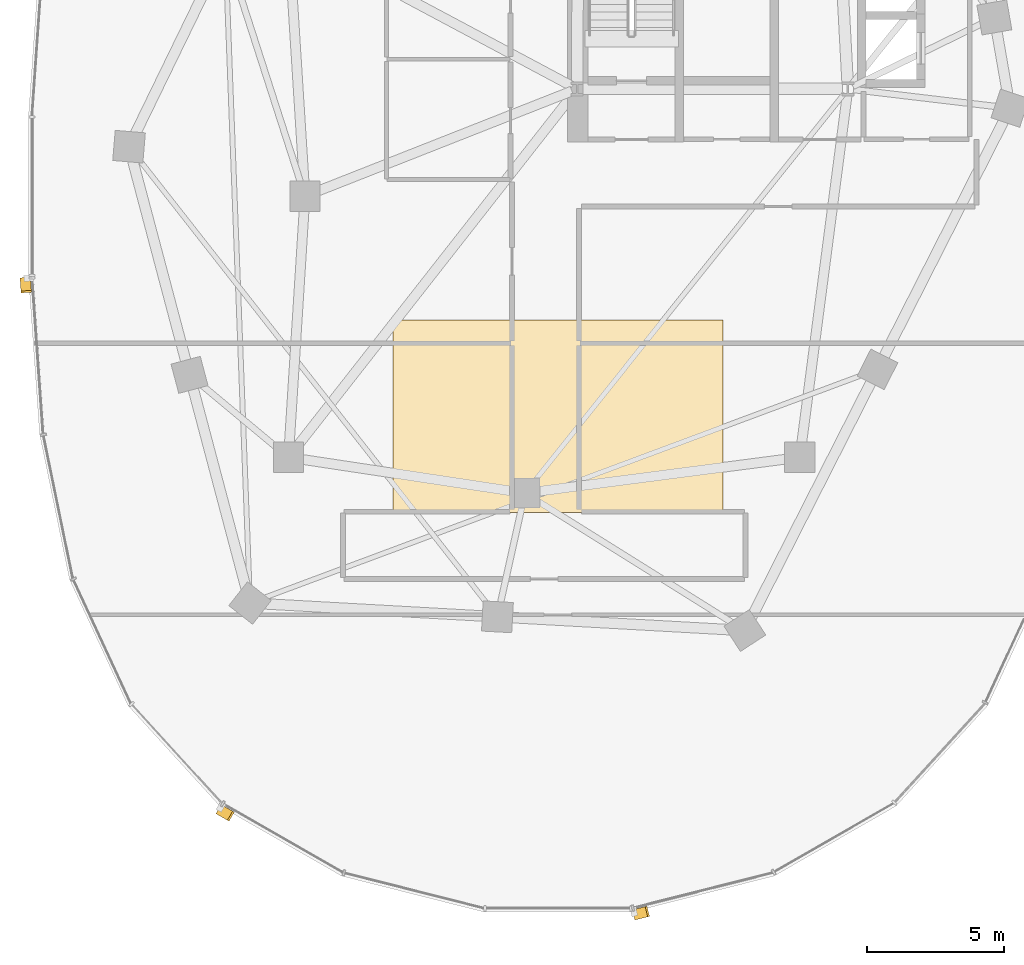
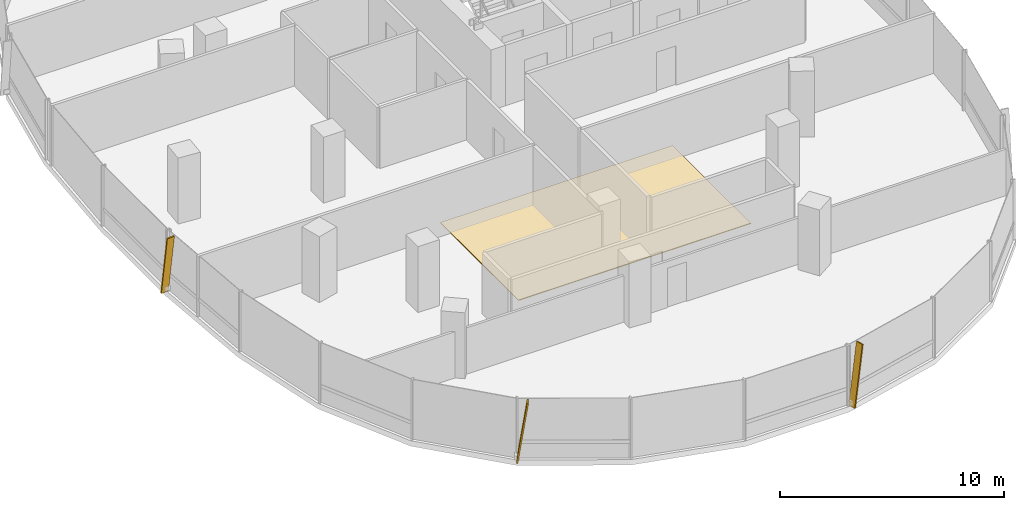
# One storey, part 17 of 21: 3 shading devices, 1 covering.
"""IFC4 building model written with IfcOpenShell, lengths in metres."""

from ifc_helpers import new_model, si_unit, direction, frame, origin, origin_2d, place, context, subcontext, project, spatial, polyline, rectangle, outline, extrude, material, layer, layer_set, material_profile, profile_set, type_object, element, save


model = new_model("IFC4")

# Units and contexts
model_context = context("Model", 3, precision=1e-05, world=origin(), true_north=direction((0.0, 1.0)))
body_context = subcontext(model_context, "Body", "Model", "MODEL_VIEW")
ifc_project = project(units=[si_unit("LENGTHUNIT", "METRE"), si_unit("AREAUNIT", "SQUARE_METRE"), si_unit("VOLUMEUNIT", "CUBIC_METRE"), si_unit("PLANEANGLEUNIT", "RADIAN"), si_unit("MASSUNIT", "GRAM", prefix="KILO"), si_unit("THERMODYNAMICTEMPERATUREUNIT", "KELVIN"), si_unit("POWERUNIT", "WATT")], contexts=[model_context])

# Site, building, storey
site_placement = place(None, origin())
site = spatial("IfcSite", under=ifc_project, at=site_placement, CompositionType="ELEMENT")
building_placement = place(site_placement, origin())
building = spatial("IfcBuilding", under=site, at=building_placement, Name="Cundina Bronze Exchange", CompositionType="ELEMENT")
storey_placement = place(building_placement, frame((0.0, 0.0, 114.199951171875)))
storey = spatial("IfcBuildingStorey", under=building, at=storey_placement, Name="L29", CompositionType="ELEMENT", Elevation=114.199951171875)

# Covering
ifc_material_1 = material(Name="Raised Access Steel-Cementitious Floor Panel 40mm", Category="steel")
ifc_layer = layer(ifc_material_1, 0.0400390625, Name="Raised Access Steel-Cementitious Floor Panel 40mm", Category="steel")
ifc_layer_set = layer_set([ifc_layer], Name="Raised Access Steel-Cementitious Floor Panel 40mm")
covering_type = type_object("IfcCoveringType", Name="COV-FLR-RAF40", PredefinedType="FLOORING", material=ifc_layer_set)
covering_placement = place(storey_placement, origin())
element("IfcCovering", 1, at=covering_placement, inside=storey, type_object=covering_type, Name="L29 W UFAD Raised Access Trading Floor", PredefinedType="FLOORING", context=body_context, shape_type="SweptSolid", body=[
    extrude(outline(polyline([(-38.0, -11.5), (-26.0, -11.5), (-26.0, -4.5), (-38.0, -4.5), (-38.0, -11.5)])), origin(), (0.0, 0.0, 1.0), 0.0400390625),
])

# Shading devices
ifc_material_2 = material(Name="Anodised Bronze Aluminium 6063-T6", Category="aluminium")
ifc_material_profile = material_profile(ifc_material_2, rectangle(XDim=0.070068359375, YDim=0.3798828125, at=origin_2d()), Name="FIN70X380", Category="aluminium")
ifc_profile_set = profile_set([ifc_material_profile], Name="Anodised Bronze Aluminium 6063-T6")
shading_device_type = type_object("IfcShadingDeviceType", Name="SHD-FIN-BRZ380", PredefinedType="USERDEFINED", material=ifc_profile_set)
for number, where, z_axis, x_axis, name in (
    (2, (-51.3740234375, -2.993896484375, 0.02001953125), (0.010224545828, -0.145292278041, 0.989335945271), (-0.069450050635, 0.986895284755, 0.145651595925), "L29 Diagonal Bronze Solar Fin 1"),
    (3, (-44.314208984375, -22.314208984375, 0.02001953125), (0.126324692219, -0.072534823274, 0.989333498649), (-0.857958278167, 0.492634108109, 0.145668213594), "L29 Diagonal Bronze Solar Fin 5"),
    (4, (-29.212646484375, -26.138427734375, 0.02001953125), (0.141217047268, 0.035711761166, 0.989334329575), (-0.95914051701, -0.242552848478, 0.145662570088), "L29 Diagonal Bronze Solar Fin 1"),
):
    element("IfcShadingDevice", number, at=place(storey_placement, frame(where, z_axis=z_axis, x_axis=x_axis)), inside=storey, type_object=shading_device_type, Name=name, ObjectType="FIN", PredefinedType="USERDEFINED", context=body_context, shape_type="SweptSolid", body=[
        extrude(rectangle(XDim=0.070068359375, YDim=0.3798828125, at=origin_2d()), origin(), (0.0, 0.0, 1.0), 3.295166015625),
    ])

save(model, "model.ifc")
